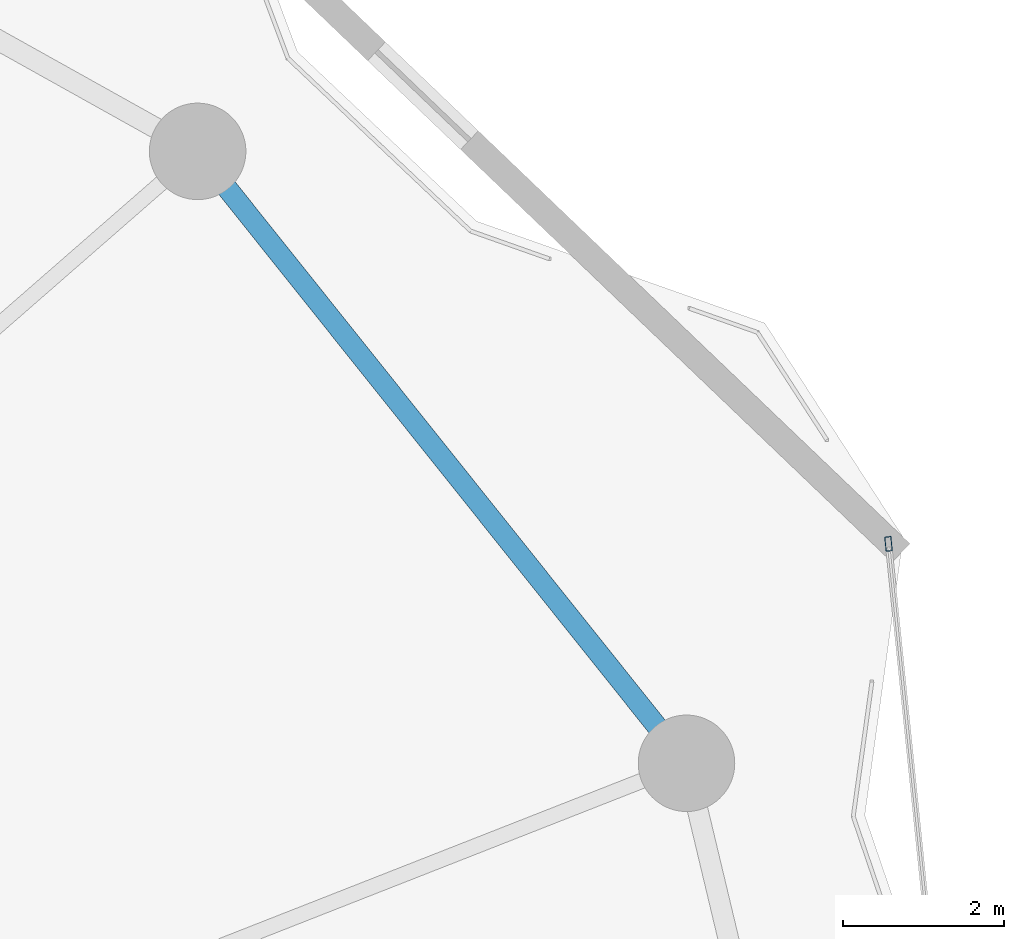
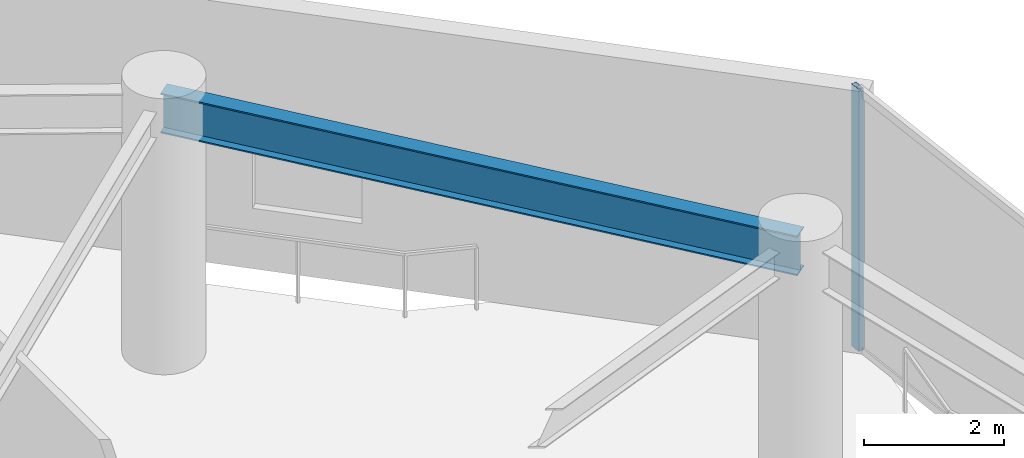
# One storey, part 23 of 30: 1 beam, 1 member, 1 element without a shape of its own.
"""IFC4 building model written with IfcOpenShell, lengths in metres."""

from ifc_helpers import new_model, si_unit, direction, frame, origin, origin_2d, place, context, subcontext, project, spatial, hollow_rectangle, i_section, extrude, material, layer, layer_set, material_profile, profile_set, type_object, element, aggregate, save


model = new_model("IFC4")

# Units and contexts
model_context = context("Model", 3, precision=1e-05, world=origin(), true_north=direction((0.0, 1.0)))
body_context = subcontext(model_context, "Body", "Model", "MODEL_VIEW")
ifc_project = project(units=[si_unit("LENGTHUNIT", "METRE"), si_unit("AREAUNIT", "SQUARE_METRE"), si_unit("VOLUMEUNIT", "CUBIC_METRE"), si_unit("PLANEANGLEUNIT", "RADIAN"), si_unit("MASSUNIT", "GRAM", prefix="KILO")], contexts=[model_context])

# Site, building, storey
site_placement = place(None, origin())
site = spatial("IfcSite", under=ifc_project, at=site_placement, CompositionType="ELEMENT")
building_placement = place(site_placement, origin())
building = spatial("IfcBuilding", under=site, at=building_placement, Name="Kazevale Care Tower and Concert Hall", CompositionType="ELEMENT")
storey_placement = place(building_placement, frame((0.0, 0.0, 97.800048828125)))
storey = spatial("IfcBuildingStorey", under=building, at=storey_placement, Name="L25", CompositionType="ELEMENT", Elevation=97.800048828125)

# Curtain wall, member
ifc_material_1 = material(Name="Aluminium 6063-T6 and Low-E Glass", Category="aluminium")
ifc_layer = layer(ifc_material_1, 0.179931640625)
ifc_layer_set = layer_set([ifc_layer], Name="Aluminium 6063-T6 and Low-E Glass")
curtain_wall_type = type_object("IfcCurtainWallType", Name="Waist & Upper Residential Curtain Wall CW-4", PredefinedType="NOTDEFINED", material=ifc_layer_set)
curtain_wall_placement = place(storey_placement, origin())
curtain_wall = element("IfcCurtainWall", 1, at=curtain_wall_placement, inside=storey, type_object=curtain_wall_type, Name="cw:L25:f18", PredefinedType="NOTDEFINED")
ifc_material_2 = material(Name="Aluminium 6063-T6", Category="aluminium")
ifc_material_profile_1 = material_profile(ifc_material_2, hollow_rectangle(XDim=0.080078125, YDim=0.179931640625, WallThickness=0.0048828125, at=origin_2d()), Name="ALU80x180x5")
ifc_profile_set_1 = profile_set([ifc_material_profile_1], Name="Aluminium 6063-T6")
member_type = type_object("IfcMemberType", Name="CW-4 Mullion ALU80x180x5", PredefinedType="MULLION", material=ifc_profile_set_1)
member_placement = place(storey_placement, frame((73.422119140625, 49.6982421875, 0.0), z_axis=(0.0, 0.0, 1.0), x_axis=(0.994797747326, 0.101869730126, 0.0)))
member = element("IfcMember", 2, at=member_placement, type_object=member_type, Name="CW-4 mullion 1", PredefinedType="MULLION", context=body_context, shape_type="SweptSolid", body=[
    extrude(hollow_rectangle(XDim=0.080078125, YDim=0.179931640625, WallThickness=0.0048828125, at=origin_2d()), origin(), (0.0, 0.0, 1.0), 4.56005859375),
])
aggregate(curtain_wall, [member])

# Beam
ifc_material_3 = material(Name="Steel ASTM A572 Gr 50", Category="steel")
ifc_material_profile_2 = material_profile(ifc_material_3, i_section(OverallWidth=0.256103515625, OverallDepth=0.693115234375, WebThickness=0.014404296875, FlangeThickness=0.023681640625, at=origin_2d()), Name="W690x170")
ifc_profile_set_2 = profile_set([ifc_material_profile_2], Name="Steel ASTM A572 Gr 50")
beam_type = type_object("IfcBeamType", Name="Waist Ring Beam W690x170", PredefinedType="BEAM", material=ifc_profile_set_2)
beam_placement = place(storey_placement, frame((70.909912109375, 46.969970703125, 4.21337890625), z_axis=(-0.624178340034, 0.781281895242, 0.0), x_axis=(-0.781281895242, -0.624178340034, 0.0)))
element("IfcBeam", 3, at=beam_placement, inside=storey, type_object=beam_type, Name="beam:L25:ring:02", PredefinedType="BEAM", context=body_context, shape_type="SweptSolid", body=[
    extrude(i_section(OverallWidth=0.256103515625, OverallDepth=0.693115234375, WebThickness=0.014404296875, FlangeThickness=0.023681640625, at=origin_2d()), origin(), (0.0, 0.0, 1.0), 9.740478515625),
])

save(model, "model.ifc")
